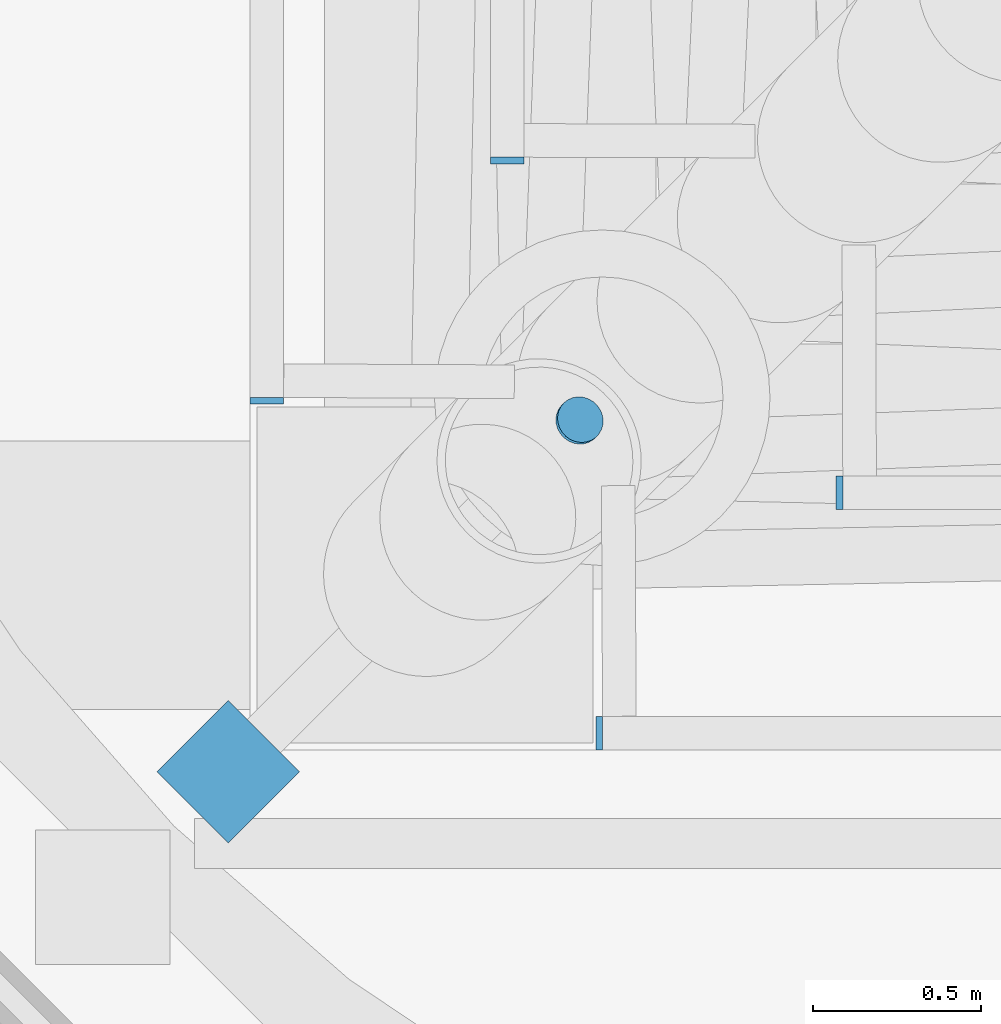
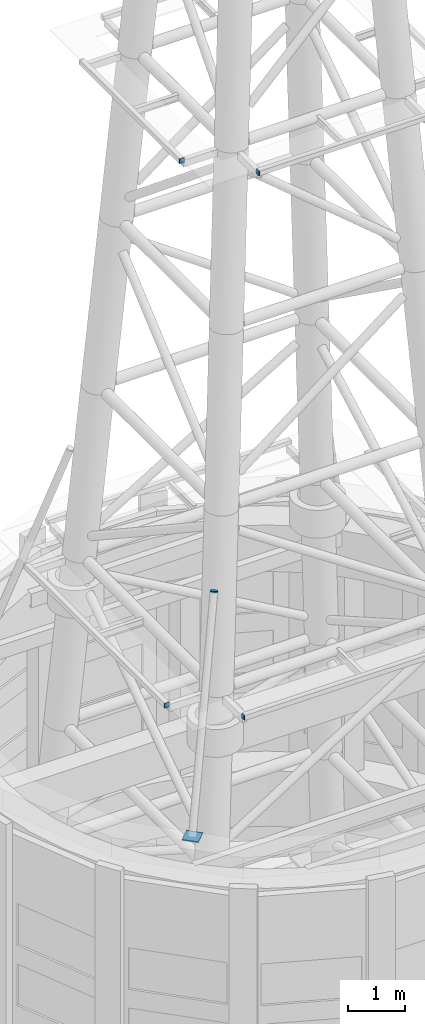
# One storey, part 16 of 36: 6 discrete accessories.
"""IFC4 building model written with IfcOpenShell, lengths in metres."""

from ifc_helpers import new_model, si_unit, direction, frame, origin, origin_2d, place, context, subcontext, project, spatial, rectangle, circle, extrude, material, material_profile, profile_set, type_object, element, save


model = new_model("IFC4")

# Units and contexts
model_context = context("Model", 3, precision=1e-05, world=origin(), true_north=direction((0.0, 1.0)))
body_context = subcontext(model_context, "Body", "Model", "MODEL_VIEW")
ifc_project = project(units=[si_unit("LENGTHUNIT", "METRE"), si_unit("AREAUNIT", "SQUARE_METRE"), si_unit("VOLUMEUNIT", "CUBIC_METRE"), si_unit("PLANEANGLEUNIT", "RADIAN"), si_unit("MASSUNIT", "GRAM", prefix="KILO")], contexts=[model_context])

# Site, building, storey
site_placement = place(None, origin())
site = spatial("IfcSite", under=ifc_project, at=site_placement, CompositionType="ELEMENT")
building_placement = place(site_placement, origin())
building = spatial("IfcBuilding", under=site, at=building_placement, Name="Ipe Terrace Towers", CompositionType="ELEMENT")
storey_placement = place(building_placement, frame((0.0, 0.0, 264.89990234375)))
storey = spatial("IfcBuildingStorey", under=building, at=storey_placement, Name="Roof", CompositionType="ELEMENT", Elevation=264.89990234375)

# Discrete accessories
ifc_material_1 = material(Name="Steel S355", Category="steel")
ifc_material_profile_1 = material_profile(ifc_material_1, rectangle(XDim=0.10009765625, YDim=0.10009765625, at=origin_2d()), Name="MAST END PLATE 100 x 100 x 20")
ifc_profile_set_1 = profile_set([ifc_material_profile_1], Name="Steel S355")
discrete_accessory_type_1 = type_object("IfcDiscreteAccessoryType", Name="MAST END PLATE 100 x 100 x 20", PredefinedType="BRACKET", material=ifc_profile_set_1)
for number, where, z_axis, x_axis, name in (
    (1, (-38.470947265625, -3.470947265625, 10.2470703125), (-1.0, 0.0, 0.0), (0.0, -1.0, 0.0), "mast end plate"),
    (2, (-39.470947265625, -2.470947265625, 10.2470703125), (0.0, -1.0, 0.0), (1.0, 0.0, 0.0), "mast end plate"),
    (3, (-37.7548828125, -2.7548828125, 21.31005859375), (-1.0, 0.0, 0.0), (0.0, -1.0, 0.0), "mast end plate"),
    (4, (-38.7548828125, -1.7548828125, 21.31005859375), (0.0, -1.0, 0.0), (1.0, 0.0, 0.0), "mast end plate"),
):
    element("IfcDiscreteAccessory", number, at=place(storey_placement, frame(where, z_axis=z_axis, x_axis=x_axis)), inside=storey, type_object=discrete_accessory_type_1, Name=name, PredefinedType="BRACKET", context=body_context, shape_type="SweptSolid", body=[
        extrude(rectangle(XDim=0.10009765625, YDim=0.10009765625, at=origin_2d()), origin(), (0.0, 0.0, 1.0), 0.02001953125),
    ])
ifc_material_2 = material(Name="Steel S355", Category="steel")
ifc_material_profile_2 = material_profile(ifc_material_2, circle(Radius=0.070068359375, at=origin_2d()), Name="MAST END PLATE 140 DIA x 20")
ifc_profile_set_2 = profile_set([ifc_material_profile_2], Name="Steel S355")
discrete_accessory_type_2 = type_object("IfcDiscreteAccessoryType", Name="MAST END PLATE 140 DIA x 20", PredefinedType="BRACKET", material=ifc_profile_set_2)
discrete_accessory_1_placement = place(storey_placement, frame((-38.5419921875, -2.5419921875, 12.403076171875), z_axis=(0.241051348201, 0.241051348201, 0.940100257984), x_axis=(-0.707106781187, 0.707106781187, 0.0)))
element("IfcDiscreteAccessory", 5, at=discrete_accessory_1_placement, inside=storey, type_object=discrete_accessory_type_2, Name="mast end plate", PredefinedType="BRACKET", context=body_context, shape_type="SweptSolid", body=[
    extrude(circle(Radius=0.070068359375, at=origin_2d()), origin(), (0.0, 0.0, 1.0), 0.020263671875),
])
ifc_material_3 = material(Name="Steel S355", Category="steel")
discrete_accessory_type_3 = type_object("IfcDiscreteAccessoryType", Name="MAST STAY BASE PLATE 300 x 300 x 20", PredefinedType="BRACKET", material=ifc_material_3)
discrete_accessory_2_placement = place(storey_placement, frame((-39.5859375, -3.5859375, 8.110107421875), z_axis=(0.0, 0.0, 1.0), x_axis=(0.707106781187, 0.707106781187, 0.0)))
element("IfcDiscreteAccessory", 6, at=discrete_accessory_2_placement, inside=storey, type_object=discrete_accessory_type_3, Name="mast stay base plate", PredefinedType="BRACKET", context=body_context, shape_type="SweptSolid", body=[
    extrude(rectangle(XDim=0.300048828125, YDim=0.300048828125, at=origin_2d()), origin(), (0.0, 0.0, 1.0), 0.02001953125),
])

save(model, "model.ifc")
